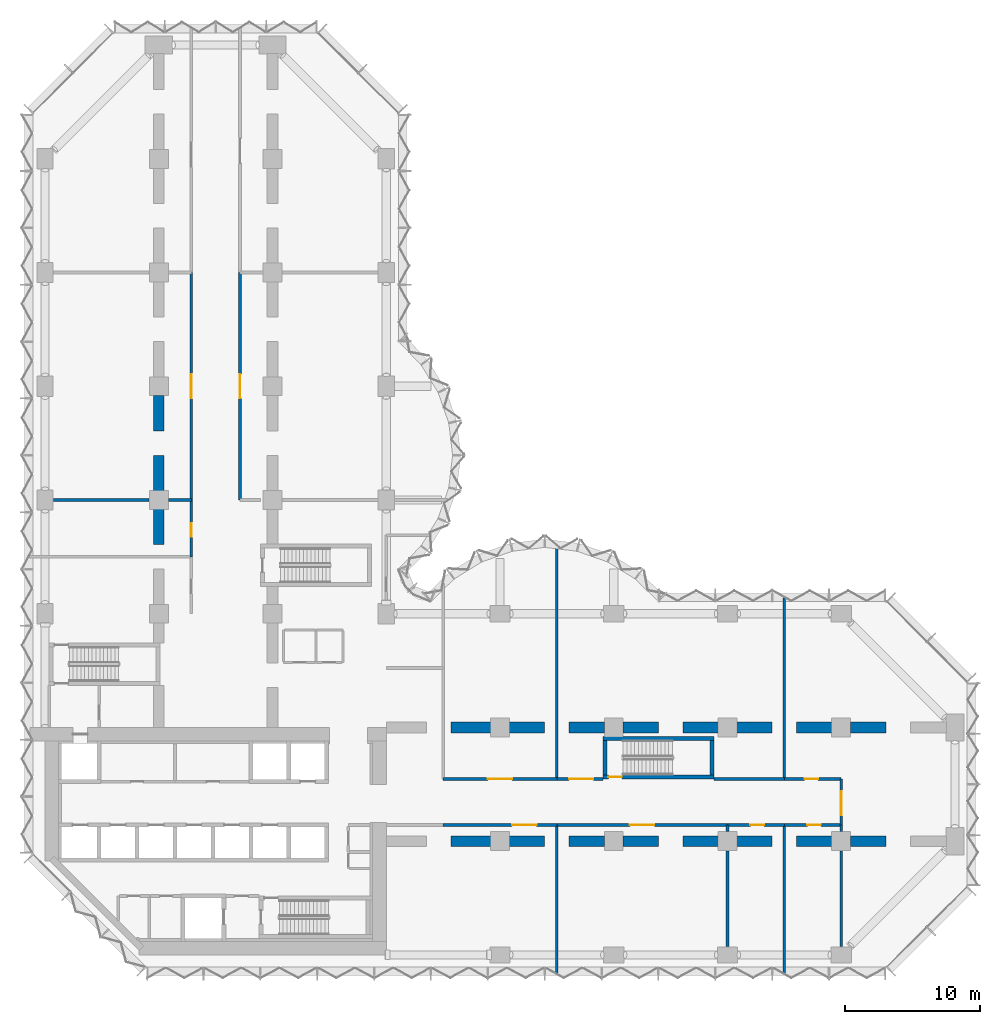
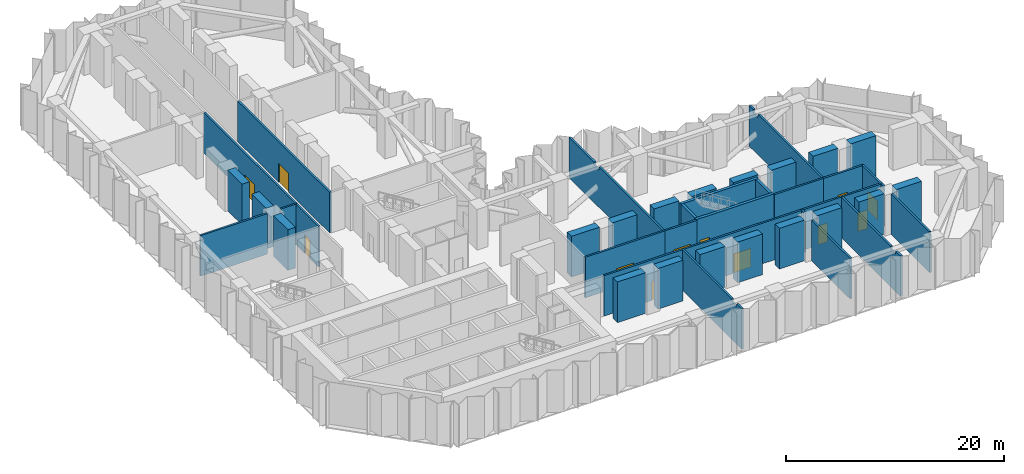
# One storey, part 12 of 18: 45 walls, 12 doors, 12 openings.
"""IFC4 building model written with IfcOpenShell, lengths in metres."""

from ifc_helpers import new_model, si_unit, direction, frame, frame_2d, origin, place, context, subcontext, project, spatial, polyline, rectangle, outline, extrude, material, layer, layer_set, type_object, element, fill, save


model = new_model("IFC4")

# Units and contexts
model_context = context("Model", 3, precision=1e-05, world=origin(), true_north=direction((0.0, 1.0)))
body_context = subcontext(model_context, "Body", "Model", "MODEL_VIEW")
ifc_project = project(units=[si_unit("LENGTHUNIT", "METRE"), si_unit("AREAUNIT", "SQUARE_METRE"), si_unit("VOLUMEUNIT", "CUBIC_METRE"), si_unit("PLANEANGLEUNIT", "RADIAN"), si_unit("MASSUNIT", "GRAM", prefix="KILO")], contexts=[model_context])

# Site, building, storey
site_placement = place(None, origin())
site = spatial("IfcSite", under=ifc_project, at=site_placement, CompositionType="ELEMENT")
building_placement = place(site_placement, origin())
building = spatial("IfcBuilding", under=site, at=building_placement, Name="Brevane Broadcast Tower", CompositionType="ELEMENT")
storey_placement = place(building_placement, frame((0.0, 0.0, 86.89990234375)))
storey = spatial("IfcBuildingStorey", under=building, at=storey_placement, Name="L20", CompositionType="ELEMENT", Elevation=86.89990234375)

# Wall, opening, door
ifc_material_1 = material(Name="Concrete C80/95", Category="concrete")
ifc_layer_1 = layer(ifc_material_1, 0.300048828125)
ifc_layer_set_1 = layer_set([ifc_layer_1], Name="Core wall 300 mm C80/95")
wall_type_1 = type_object("IfcWallType", Name="Core wall 300 mm C80/95", PredefinedType="SHEAR", material=ifc_layer_set_1)
wall_1_placement = place(storey_placement, frame((49.39990234375, 13.14990234375, 0.0), z_axis=(0.0, 0.0, 1.0), x_axis=(-1.0, 0.0, 0.0)))
wall_1 = element("IfcWall", 1, at=wall_1_placement, inside=storey, type_object=wall_type_1, Name="L20 stair wall ST-4-S", PredefinedType="SHEAR", context=body_context, shape_type="SweptSolid", body=[
    extrude(rectangle(XDim=8.199951171875, YDim=0.300048828125, at=frame_2d((4.10009765625, 0.0))), origin(), (0.0, 0.0, 1.0), 4.550048828125),
])
opening_1_placement = place(wall_1_placement, frame((6.800048828125, 0.0, 0.0)))
opening_1 = element("IfcOpeningElement", 2, at=opening_1_placement, cuts=wall_1, Name="Opening L20-K15", PredefinedType="OPENING", context=body_context, shape_type="SweptSolid", body=[
    extrude(rectangle(XDim=1.0, YDim=2.10009765625, at=frame_2d((0.5, 1.050048828125))), frame((0.0, 0.159912109375, 0.0), z_axis=(0.0, -1.0, 0.0), x_axis=(1.0, 0.0, 0.0)), (0.0, 0.0, 1.0), 0.320068359375),
])
ifc_material_2 = material(Name="Steel", Category="steel")
door_type_1 = type_object("IfcDoorType", Name="Stair door 1000 x 2100", OperationType="SINGLE_SWING_LEFT", PredefinedType="DOOR", material=ifc_material_2)
door_1_placement = place(opening_1_placement, origin())
door_1 = element("IfcDoor", 3, at=door_1_placement, inside=storey, type_object=door_type_1, Name="Door L20-K15", OperationType="SINGLE_SWING_LEFT", OverallHeight=2.10009765625, OverallWidth=1.0, PredefinedType="DOOR", context=body_context, shape_type="SweptSolid", body=[
    extrude(rectangle(XDim=1.0, YDim=2.10009765625, at=frame_2d((0.5, 1.050048828125))), frame((0.0, 0.02490234375, 0.0), z_axis=(0.0, -1.0, 0.0), x_axis=(1.0, 0.0, 0.0)), (0.0, 0.0, 1.0), 0.050048828125),
])
fill(opening_1, door_1)

# Walls
wall_2_placement = place(storey_placement, frame((41.199951171875, 16.0, 0.0), z_axis=(0.0, 0.0, 1.0), x_axis=(1.0, 0.0, 0.0)))
element("IfcWall", 4, at=wall_2_placement, inside=storey, type_object=wall_type_1, Name="L20 stair wall ST-4-N", PredefinedType="SHEAR", context=body_context, shape_type="SweptSolid", body=[
    extrude(rectangle(XDim=8.199951171875, YDim=0.300048828125, at=frame_2d((4.10009765625, 0.0))), origin(), (0.0, 0.0, 1.0), 4.550048828125),
])
for number, where, z_axis, x_axis, name in (
    (5, (41.35009765625, 13.300048828125, 0.0), (0.0, 0.0, 1.0), (0.0, 1.0, 0.0), "L20 stair wall ST-4-W"),
    (6, (49.25, 13.300048828125, 0.0), (0.0, 0.0, 1.0), (0.0, 1.0, 0.0), "L20 stair wall ST-4-E"),
):
    element("IfcWall", number, at=place(storey_placement, frame(where, z_axis=z_axis, x_axis=x_axis)), inside=storey, type_object=wall_type_1, Name=name, PredefinedType="SHEAR", context=body_context, shape_type="SweptSolid", body=[
        extrude(rectangle(XDim=2.550048828125, YDim=0.300048828125, at=frame_2d((1.27490234375, 0.0))), origin(), (0.0, 0.0, 1.0), 4.550048828125),
    ])

# Wall, opening, door
ifc_material_3 = material(Name="Gypsum board partition")
ifc_layer_2 = layer(ifc_material_3, 0.199951171875)
ifc_layer_set_2 = layer_set([ifc_layer_2], Name="PARTITION 200 EI 120")
wall_type_2 = type_object("IfcWallType", Name="PARTITION 200 EI 120", PredefinedType="PARTITIONING", material=ifc_layer_set_2)
wall_3_placement = place(storey_placement, frame((58.800048828125, 13.0, 0.0), z_axis=(0.0, 0.0, 1.0), x_axis=(0.0, -1.0, 0.0)))
wall_3 = element("IfcWall", 7, at=wall_3_placement, inside=storey, type_object=wall_type_2, Name="Partition R1-007", PredefinedType="PARTITIONING", context=body_context, shape_type="SweptSolid", body=[
    extrude(rectangle(XDim=3.39990234375, YDim=0.199951171875, at=frame_2d((1.699951171875, 0.0))), origin(), (0.0, 0.0, 1.0), 4.530029296875),
])
opening_2_placement = place(wall_3_placement, frame((0.89990234375, 0.0, 0.0)))
opening_2 = element("IfcOpeningElement", 8, at=opening_2_placement, cuts=wall_3, Name="Opening D12-002", PredefinedType="OPENING", context=body_context, shape_type="SweptSolid", body=[
    extrude(rectangle(XDim=1.800048828125, YDim=2.10009765625, at=frame_2d((0.89990234375, 1.050048828125))), frame((0.0, 0.10986328125, 0.0), z_axis=(0.0, -1.0, 0.0), x_axis=(1.0, 0.0, 0.0)), (0.0, 0.0, 1.0), 0.219970703125),
])
ifc_material_4 = material(Name="Fire-rated timber door leaf", Category="wood")
door_type_2 = type_object("IfcDoorType", Name="DOOR DOUBLE 1800 FD60", OperationType="DOUBLE_DOOR_SINGLE_SWING", PredefinedType="DOOR", material=ifc_material_4)
door_2_placement = place(opening_2_placement, origin())
door_2 = element("IfcDoor", 9, at=door_2_placement, inside=storey, type_object=door_type_2, Name="Door D12-002", OperationType="DOUBLE_DOOR_SINGLE_SWING", OverallHeight=2.10009765625, OverallWidth=1.800048828125, PredefinedType="DOOR", context=body_context, shape_type="SweptSolid", body=[
    extrude(rectangle(XDim=1.800048828125, YDim=2.10009765625, at=frame_2d((0.89990234375, 1.050048828125))), frame((0.0, 0.02490234375, 0.0), z_axis=(0.0, -1.0, 0.0), x_axis=(1.0, 0.0, 0.0)), (0.0, 0.0, 1.0), 0.050048828125),
])
fill(opening_2, door_2)

wall_4_placement = place(storey_placement, frame((37.800048828125, 9.60009765625, 0.0), z_axis=(0.0, 0.0, 1.0), x_axis=(-1.0, 0.0, 0.0)))
wall_4 = element("IfcWall", 10, at=wall_4_placement, inside=storey, type_object=wall_type_2, Name="Partition R1-008", PredefinedType="PARTITIONING", context=body_context, shape_type="SweptSolid", body=[
    extrude(rectangle(XDim=8.400146484375, YDim=0.199951171875, at=frame_2d((4.2001953125, 0.0))), origin(), (0.0, 0.0, 1.0), 4.530029296875),
])
opening_3_placement = place(wall_4_placement, frame((1.5, 0.0, 0.0)))
opening_3 = element("IfcOpeningElement", 11, at=opening_3_placement, cuts=wall_4, Name="Opening D12-003", PredefinedType="OPENING", context=body_context, shape_type="SweptSolid", body=[
    extrude(rectangle(XDim=1.800048828125, YDim=2.10009765625, at=frame_2d((0.89990234375, 1.050048828125))), frame((0.0, 0.10986328125, 0.0), z_axis=(0.0, -1.0, 0.0), x_axis=(1.0, 0.0, 0.0)), (0.0, 0.0, 1.0), 0.219970703125),
])
door_3_placement = place(opening_3_placement, origin())
door_3 = element("IfcDoor", 12, at=door_3_placement, inside=storey, type_object=door_type_2, Name="Door D12-003", OperationType="DOUBLE_DOOR_SINGLE_SWING", OverallHeight=2.10009765625, OverallWidth=1.800048828125, PredefinedType="DOOR", context=body_context, shape_type="SweptSolid", body=[
    extrude(rectangle(XDim=1.800048828125, YDim=2.10009765625, at=frame_2d((0.89990234375, 1.050048828125))), frame((0.0, 0.02490234375, 0.0), z_axis=(0.0, -1.0, 0.0), x_axis=(1.0, 0.0, 0.0)), (0.0, 0.0, 1.0), 0.050048828125),
])
fill(opening_3, door_3)

wall_5_placement = place(storey_placement, frame((50.39990234375, 9.60009765625, 0.0), z_axis=(0.0, 0.0, 1.0), x_axis=(-1.0, 0.0, 0.0)))
wall_5 = element("IfcWall", 13, at=wall_5_placement, inside=storey, type_object=wall_type_2, Name="Partition R1-009", PredefinedType="PARTITIONING", context=body_context, shape_type="SweptSolid", body=[
    extrude(rectangle(XDim=12.599853515625, YDim=0.199951171875, at=frame_2d((6.2998046875, 0.0))), origin(), (0.0, 0.0, 1.0), 4.530029296875),
])
opening_4_placement = place(wall_5_placement, frame((5.39990234375, 0.0, 0.0)))
opening_4 = element("IfcOpeningElement", 14, at=opening_4_placement, cuts=wall_5, Name="Opening D12-004", PredefinedType="OPENING", context=body_context, shape_type="SweptSolid", body=[
    extrude(rectangle(XDim=1.800048828125, YDim=2.10009765625, at=frame_2d((0.89990234375, 1.050048828125))), frame((0.0, 0.10986328125, 0.0), z_axis=(0.0, -1.0, 0.0), x_axis=(1.0, 0.0, 0.0)), (0.0, 0.0, 1.0), 0.219970703125),
])
door_4_placement = place(opening_4_placement, origin())
door_4 = element("IfcDoor", 15, at=door_4_placement, inside=storey, type_object=door_type_2, Name="Door D12-004", OperationType="DOUBLE_DOOR_SINGLE_SWING", OverallHeight=2.10009765625, OverallWidth=1.800048828125, PredefinedType="DOOR", context=body_context, shape_type="SweptSolid", body=[
    extrude(rectangle(XDim=1.800048828125, YDim=2.10009765625, at=frame_2d((0.89990234375, 1.050048828125))), frame((0.0, 0.02490234375, 0.0), z_axis=(0.0, -1.0, 0.0), x_axis=(1.0, 0.0, 0.0)), (0.0, 0.0, 1.0), 0.050048828125),
])
fill(opening_4, door_4)

wall_6_placement = place(storey_placement, frame((54.60009765625, 9.60009765625, 0.0), z_axis=(0.0, 0.0, 1.0), x_axis=(-1.0, 0.0, 0.0)))
wall_6 = element("IfcWall", 16, at=wall_6_placement, inside=storey, type_object=wall_type_2, Name="Partition R1-010", PredefinedType="PARTITIONING", context=body_context, shape_type="SweptSolid", body=[
    extrude(rectangle(XDim=4.2001953125, YDim=0.199951171875, at=frame_2d((2.10009765625, 0.0))), origin(), (0.0, 0.0, 1.0), 4.530029296875),
])
opening_5_placement = place(wall_6_placement, frame((1.5, 0.0, 0.0)))
opening_5 = element("IfcOpeningElement", 17, at=opening_5_placement, cuts=wall_6, Name="Opening D12-005", PredefinedType="OPENING", context=body_context, shape_type="SweptSolid", body=[
    extrude(rectangle(XDim=1.0, YDim=2.10009765625, at=frame_2d((0.5, 1.050048828125))), frame((0.0, 0.10986328125, 0.0), z_axis=(0.0, -1.0, 0.0), x_axis=(1.0, 0.0, 0.0)), (0.0, 0.0, 1.0), 0.219970703125),
])
door_type_3 = type_object("IfcDoorType", Name="DOOR SINGLE 1000 FD60", OperationType="SINGLE_SWING_LEFT", PredefinedType="DOOR", material=ifc_material_4)
door_5_placement = place(opening_5_placement, origin())
door_5 = element("IfcDoor", 18, at=door_5_placement, inside=storey, type_object=door_type_3, Name="Door D12-005", OperationType="SINGLE_SWING_LEFT", OverallHeight=2.10009765625, OverallWidth=1.0, PredefinedType="DOOR", context=body_context, shape_type="SweptSolid", body=[
    extrude(rectangle(XDim=1.0, YDim=2.10009765625, at=frame_2d((0.5, 1.050048828125))), frame((0.0, 0.02490234375, 0.0), z_axis=(0.0, -1.0, 0.0), x_axis=(1.0, 0.0, 0.0)), (0.0, 0.0, 1.0), 0.050048828125),
])
fill(opening_5, door_5)

wall_7_placement = place(storey_placement, frame((58.800048828125, 9.60009765625, 0.0), z_axis=(0.0, 0.0, 1.0), x_axis=(-1.0, 0.0, 0.0)))
wall_7 = element("IfcWall", 19, at=wall_7_placement, inside=storey, type_object=wall_type_2, Name="Partition R1-011", PredefinedType="PARTITIONING", context=body_context, shape_type="SweptSolid", body=[
    extrude(rectangle(XDim=4.199951171875, YDim=0.199951171875, at=frame_2d((2.10009765625, 0.0))), origin(), (0.0, 0.0, 1.0), 4.530029296875),
])
opening_6_placement = place(wall_7_placement, frame((1.5, 0.0, 0.0)))
opening_6 = element("IfcOpeningElement", 20, at=opening_6_placement, cuts=wall_7, Name="Opening D12-006", PredefinedType="OPENING", context=body_context, shape_type="SweptSolid", body=[
    extrude(rectangle(XDim=1.0, YDim=2.10009765625, at=frame_2d((0.5, 1.050048828125))), frame((0.0, 0.10986328125, 0.0), z_axis=(0.0, -1.0, 0.0), x_axis=(1.0, 0.0, 0.0)), (0.0, 0.0, 1.0), 0.219970703125),
])
door_6_placement = place(opening_6_placement, origin())
door_6 = element("IfcDoor", 21, at=door_6_placement, inside=storey, type_object=door_type_3, Name="Door D12-006", OperationType="SINGLE_SWING_LEFT", OverallHeight=2.10009765625, OverallWidth=1.0, PredefinedType="DOOR", context=body_context, shape_type="SweptSolid", body=[
    extrude(rectangle(XDim=1.0, YDim=2.10009765625, at=frame_2d((0.5, 1.050048828125))), frame((0.0, 0.02490234375, 0.0), z_axis=(0.0, -1.0, 0.0), x_axis=(1.0, 0.0, 0.0)), (0.0, 0.0, 1.0), 0.050048828125),
])
fill(opening_6, door_6)

wall_8_placement = place(storey_placement, frame((29.39990234375, 13.0, 0.0), z_axis=(0.0, 0.0, 1.0), x_axis=(1.0, 0.0, 0.0)))
wall_8 = element("IfcWall", 22, at=wall_8_placement, inside=storey, type_object=wall_type_2, Name="Partition R1-012", PredefinedType="PARTITIONING", context=body_context, shape_type="SweptSolid", body=[
    extrude(rectangle(XDim=8.400146484375, YDim=0.199951171875, at=frame_2d((4.2001953125, 0.0))), origin(), (0.0, 0.0, 1.0), 4.530029296875),
])
opening_7_placement = place(wall_8_placement, frame((3.300048828125, 0.0, 0.0)))
opening_7 = element("IfcOpeningElement", 23, at=opening_7_placement, cuts=wall_8, Name="Opening D12-007", PredefinedType="OPENING", context=body_context, shape_type="SweptSolid", body=[
    extrude(rectangle(XDim=1.800048828125, YDim=2.10009765625, at=frame_2d((0.89990234375, 1.050048828125))), frame((0.0, 0.10986328125, 0.0), z_axis=(0.0, -1.0, 0.0), x_axis=(1.0, 0.0, 0.0)), (0.0, 0.0, 1.0), 0.219970703125),
])
door_7_placement = place(opening_7_placement, origin())
door_7 = element("IfcDoor", 24, at=door_7_placement, inside=storey, type_object=door_type_2, Name="Door D12-007", OperationType="DOUBLE_DOOR_SINGLE_SWING", OverallHeight=2.10009765625, OverallWidth=1.800048828125, PredefinedType="DOOR", context=body_context, shape_type="SweptSolid", body=[
    extrude(rectangle(XDim=1.800048828125, YDim=2.10009765625, at=frame_2d((0.89990234375, 1.050048828125))), frame((0.0, 0.02490234375, 0.0), z_axis=(0.0, -1.0, 0.0), x_axis=(1.0, 0.0, 0.0)), (0.0, 0.0, 1.0), 0.050048828125),
])
fill(opening_7, door_7)

wall_9_placement = place(storey_placement, frame((37.800048828125, 13.0, 0.0), z_axis=(0.0, 0.0, 1.0), x_axis=(1.0, 0.0, 0.0)))
wall_9 = element("IfcWall", 25, at=wall_9_placement, inside=storey, type_object=wall_type_2, Name="Partition R1-013", PredefinedType="PARTITIONING", context=body_context, shape_type="SweptSolid", body=[
    extrude(rectangle(XDim=3.39990234375, YDim=0.199951171875, at=frame_2d((1.699951171875, 0.0))), origin(), (0.0, 0.0, 1.0), 4.530029296875),
])
opening_8_placement = place(wall_9_placement, frame((0.89990234375, 0.0, 0.0)))
opening_8 = element("IfcOpeningElement", 26, at=opening_8_placement, cuts=wall_9, Name="Opening D12-008", PredefinedType="OPENING", context=body_context, shape_type="SweptSolid", body=[
    extrude(rectangle(XDim=1.800048828125, YDim=2.10009765625, at=frame_2d((0.89990234375, 1.050048828125))), frame((0.0, 0.10986328125, 0.0), z_axis=(0.0, -1.0, 0.0), x_axis=(1.0, 0.0, 0.0)), (0.0, 0.0, 1.0), 0.219970703125),
])
door_8_placement = place(opening_8_placement, origin())
door_8 = element("IfcDoor", 27, at=door_8_placement, inside=storey, type_object=door_type_2, Name="Door D12-008", OperationType="DOUBLE_DOOR_SINGLE_SWING", OverallHeight=2.10009765625, OverallWidth=1.800048828125, PredefinedType="DOOR", context=body_context, shape_type="SweptSolid", body=[
    extrude(rectangle(XDim=1.800048828125, YDim=2.10009765625, at=frame_2d((0.89990234375, 1.050048828125))), frame((0.0, 0.02490234375, 0.0), z_axis=(0.0, -1.0, 0.0), x_axis=(1.0, 0.0, 0.0)), (0.0, 0.0, 1.0), 0.050048828125),
])
fill(opening_8, door_8)

# Wall
wall_10_placement = place(storey_placement, frame((49.39990234375, 13.0, 0.0), z_axis=(0.0, 0.0, 1.0), x_axis=(1.0, 0.0, 0.0)))
element("IfcWall", 28, at=wall_10_placement, inside=storey, type_object=wall_type_2, Name="Partition R1-014", PredefinedType="PARTITIONING", context=body_context, shape_type="SweptSolid", body=[
    extrude(rectangle(XDim=5.2001953125, YDim=0.199951171875, at=frame_2d((2.60009765625, 0.0))), origin(), (0.0, 0.0, 1.0), 4.530029296875),
])

# Wall, opening, door
wall_11_placement = place(storey_placement, frame((54.60009765625, 13.0, 0.0), z_axis=(0.0, 0.0, 1.0), x_axis=(1.0, 0.0, 0.0)))
wall_11 = element("IfcWall", 29, at=wall_11_placement, inside=storey, type_object=wall_type_2, Name="Partition R1-015", PredefinedType="PARTITIONING", context=body_context, shape_type="SweptSolid", body=[
    extrude(rectangle(XDim=4.199951171875, YDim=0.199951171875, at=frame_2d((2.10009765625, 0.0))), origin(), (0.0, 0.0, 1.0), 4.530029296875),
])
opening_9_placement = place(wall_11_placement, frame((1.5, 0.0, 0.0)))
opening_9 = element("IfcOpeningElement", 30, at=opening_9_placement, cuts=wall_11, Name="Opening D12-009", PredefinedType="OPENING", context=body_context, shape_type="SweptSolid", body=[
    extrude(rectangle(XDim=1.0, YDim=2.10009765625, at=frame_2d((0.5, 1.050048828125))), frame((0.0, 0.10986328125, 0.0), z_axis=(0.0, -1.0, 0.0), x_axis=(1.0, 0.0, 0.0)), (0.0, 0.0, 1.0), 0.219970703125),
])
door_9_placement = place(opening_9_placement, origin())
door_9 = element("IfcDoor", 31, at=door_9_placement, inside=storey, type_object=door_type_3, Name="Door D12-009", OperationType="SINGLE_SWING_LEFT", OverallHeight=2.10009765625, OverallWidth=1.0, PredefinedType="DOOR", context=body_context, shape_type="SweptSolid", body=[
    extrude(rectangle(XDim=1.0, YDim=2.10009765625, at=frame_2d((0.5, 1.050048828125))), frame((0.0, 0.02490234375, 0.0), z_axis=(0.0, -1.0, 0.0), x_axis=(1.0, 0.0, 0.0)), (0.0, 0.0, 1.0), 0.050048828125),
])
fill(opening_9, door_9)

# Walls
wall_12_placement = place(storey_placement, frame((58.800048828125, 0.6201171875, 0.0), z_axis=(0.0, 0.0, 1.0), x_axis=(0.0, 1.0, 0.0)))
element("IfcWall", 32, at=wall_12_placement, inside=storey, type_object=wall_type_2, Name="Partition R1-016", PredefinedType="PARTITIONING", context=body_context, shape_type="SweptSolid", body=[
    extrude(outline(polyline([(0.0, 0.0), (7.059814453125, 0.0), (7.06005859375, 4.530029296875), (0.095703125, 4.530029296875), (0.09375, 4.18017578125), (0.0, 4.18017578125), (0.0, 0.0)])), frame((0.0, 0.10009765625, 0.0), z_axis=(0.0, -1.0, 0.0), x_axis=(1.0, 0.0, 0.0)), (0.0, 0.0, 1.0), 0.199951171875),
])
wall_13_placement = place(storey_placement, frame((58.800048828125, 9.1201171875, 0.0), z_axis=(0.0, 0.0, 1.0), x_axis=(0.0, 1.0, 0.0)))
element("IfcWall", 33, at=wall_13_placement, inside=storey, type_object=wall_type_2, Name="Partition R1-017", PredefinedType="PARTITIONING", context=body_context, shape_type="SweptSolid", body=[
    extrude(rectangle(XDim=0.47998046875, YDim=0.199951171875, at=frame_2d((0.239990234375, 0.0))), origin(), (0.0, 0.0, 1.0), 4.530029296875),
])
wall_14_placement = place(storey_placement, frame((37.800048828125, 9.60009765625, 0.0), z_axis=(0.0, 0.0, 1.0), x_axis=(0.0, -1.0, 0.0)))
element("IfcWall", 34, at=wall_14_placement, inside=storey, type_object=wall_type_2, Name="Partition R1-018", PredefinedType="PARTITIONING", context=body_context, shape_type="SweptSolid", body=[
    extrude(outline(polyline([(0.0, 0.0), (10.96337890625, 0.0), (10.96337890625, 4.530029296875), (10.699951171875, 4.530029296875), (10.050048828125, 4.530029296875), (10.048095703125, 4.18017578125), (9.152099609375, 4.18017578125), (9.14990234375, 4.530029296875), (0.0, 4.530029296875), (0.0, 0.0)])), frame((0.0, 0.10009765625, 0.0), z_axis=(0.0, -1.0, 0.0), x_axis=(1.0, 0.0, 0.0)), (0.0, 0.0, 1.0), 0.199951171875),
])
wall_15_placement = place(storey_placement, frame((50.39990234375, 9.60009765625, 0.0), z_axis=(0.0, 0.0, 1.0), x_axis=(0.0, -1.0, 0.0)))
element("IfcWall", 35, at=wall_15_placement, inside=storey, type_object=wall_type_2, Name="Partition R1-019", PredefinedType="PARTITIONING", context=body_context, shape_type="SweptSolid", body=[
    extrude(rectangle(XDim=0.47998046875, YDim=0.199951171875, at=frame_2d((0.239990234375, 0.0))), origin(), (0.0, 0.0, 1.0), 4.530029296875),
])
wall_16_placement = place(storey_placement, frame((50.39990234375, 7.679931640625, 0.0), z_axis=(0.0, 0.0, 1.0), x_axis=(0.0, -1.0, 0.0)))
element("IfcWall", 36, at=wall_16_placement, inside=storey, type_object=wall_type_2, Name="Partition R1-020", PredefinedType="PARTITIONING", context=body_context, shape_type="SweptSolid", body=[
    extrude(rectangle(XDim=7.059814453125, YDim=0.199951171875, at=frame_2d((3.52978515625, 0.0))), origin(), (0.0, 0.0, 1.0), 4.530029296875),
])
wall_17_placement = place(storey_placement, frame((54.60009765625, 9.60009765625, 0.0), z_axis=(0.0, 0.0, 1.0), x_axis=(0.0, -1.0, 0.0)))
element("IfcWall", 37, at=wall_17_placement, inside=storey, type_object=wall_type_2, Name="Partition R1-021", PredefinedType="PARTITIONING", context=body_context, shape_type="SweptSolid", body=[
    extrude(outline(polyline([(0.0, 0.0), (10.96337890625, 0.0), (10.96337890625, 4.530029296875), (10.699951171875, 4.530029296875), (10.050048828125, 4.530029296875), (10.048095703125, 4.18017578125), (9.152099609375, 4.18017578125), (9.14990234375, 4.530029296875), (0.0, 4.530029296875), (0.0, 0.0)])), frame((0.0, 0.10009765625, 0.0), z_axis=(0.0, -1.0, 0.0), x_axis=(1.0, 0.0, 0.0)), (0.0, 0.0, 1.0), 0.199951171875),
])
wall_18_placement = place(storey_placement, frame((37.800048828125, 30.24267578125, 0.0), z_axis=(0.0, 0.0, 1.0), x_axis=(0.0, -1.0, 0.0)))
element("IfcWall", 38, at=wall_18_placement, inside=storey, type_object=wall_type_2, Name="Partition R1-022", PredefinedType="PARTITIONING", context=body_context, shape_type="SweptSolid", body=[
    extrude(outline(polyline([(0.0, 0.0), (17.24267578125, 0.0), (17.24267578125, 4.530029296875), (5.49267578125, 4.530029296875), (5.49072265625, 4.18017578125), (4.5947265625, 4.18017578125), (4.5927734375, 4.530029296875), (0.0, 4.530029296875), (0.0, 0.0)])), frame((0.0, 0.10009765625, 0.0), z_axis=(0.0, -1.0, 0.0), x_axis=(1.0, 0.0, 0.0)), (0.0, 0.0, 1.0), 0.199951171875),
])
wall_19_placement = place(storey_placement, frame((54.60009765625, 26.37548828125, 0.0), z_axis=(0.0, 0.0, 1.0), x_axis=(0.0, -1.0, 0.0)))
element("IfcWall", 39, at=wall_19_placement, inside=storey, type_object=wall_type_2, Name="Partition R1-023", PredefinedType="PARTITIONING", context=body_context, shape_type="SweptSolid", body=[
    extrude(outline(polyline([(0.0, 0.0), (13.37548828125, 0.0), (13.37548828125, 4.530029296875), (1.62548828125, 4.530029296875), (1.62353515625, 4.18017578125), (0.7275390625, 4.18017578125), (0.7255859375, 4.530029296875), (0.075439453125, 4.530029296875), (0.0, 4.530029296875), (0.0, 0.0)])), frame((0.0, 0.10009765625, 0.0), z_axis=(0.0, -1.0, 0.0), x_axis=(1.0, 0.0, 0.0)), (0.0, 0.0, 1.0), 0.199951171875),
])

# Wall, opening, door
wall_20_placement = place(storey_placement, frame((10.800048828125, 29.39990234375, 0.0), z_axis=(0.0, 0.0, 1.0), x_axis=(0.0, 1.0, 0.0)))
wall_20 = element("IfcWall", 40, at=wall_20_placement, inside=storey, type_object=wall_type_2, Name="Partition R1-025", PredefinedType="PARTITIONING", context=body_context, shape_type="SweptSolid", body=[
    extrude(rectangle(XDim=4.2001953125, YDim=0.199951171875, at=frame_2d((2.10009765625, 0.0))), origin(), (0.0, 0.0, 1.0), 4.530029296875),
])
opening_10_placement = place(wall_20_placement, frame((1.5, 0.0, 0.0)))
opening_10 = element("IfcOpeningElement", 41, at=opening_10_placement, cuts=wall_20, Name="Opening D12-011", PredefinedType="OPENING", context=body_context, shape_type="SweptSolid", body=[
    extrude(rectangle(XDim=1.0, YDim=2.10009765625, at=frame_2d((0.5, 1.050048828125))), frame((0.0, 0.10986328125, 0.0), z_axis=(0.0, -1.0, 0.0), x_axis=(1.0, 0.0, 0.0)), (0.0, 0.0, 1.0), 0.219970703125),
])
door_10_placement = place(opening_10_placement, origin())
door_10 = element("IfcDoor", 42, at=door_10_placement, inside=storey, type_object=door_type_3, Name="Door D12-011", OperationType="SINGLE_SWING_LEFT", OverallHeight=2.10009765625, OverallWidth=1.0, PredefinedType="DOOR", context=body_context, shape_type="SweptSolid", body=[
    extrude(rectangle(XDim=1.0, YDim=2.10009765625, at=frame_2d((0.5, 1.050048828125))), frame((0.0, 0.02490234375, 0.0), z_axis=(0.0, -1.0, 0.0), x_axis=(1.0, 0.0, 0.0)), (0.0, 0.0, 1.0), 0.050048828125),
])
fill(opening_10, door_10)

wall_21_placement = place(storey_placement, frame((10.800048828125, 33.60009765625, 0.0), z_axis=(0.0, 0.0, 1.0), x_axis=(0.0, 1.0, 0.0)))
wall_21 = element("IfcWall", 43, at=wall_21_placement, inside=storey, type_object=wall_type_2, Name="Partition R1-029", PredefinedType="PARTITIONING", context=body_context, shape_type="SweptSolid", body=[
    extrude(rectangle(XDim=16.7998046875, YDim=0.199951171875, at=frame_2d((8.39990234375, 0.0))), origin(), (0.0, 0.0, 1.0), 4.530029296875),
])
opening_11_placement = place(wall_21_placement, frame((7.5, 0.0, 0.0)))
opening_11 = element("IfcOpeningElement", 44, at=opening_11_placement, cuts=wall_21, Name="Opening D12-012", PredefinedType="OPENING", context=body_context, shape_type="SweptSolid", body=[
    extrude(rectangle(XDim=1.800048828125, YDim=2.10009765625, at=frame_2d((0.89990234375, 1.050048828125))), frame((0.0, 0.10986328125, 0.0), z_axis=(0.0, -1.0, 0.0), x_axis=(1.0, 0.0, 0.0)), (0.0, 0.0, 1.0), 0.219970703125),
])
door_11_placement = place(opening_11_placement, origin())
door_11 = element("IfcDoor", 45, at=door_11_placement, inside=storey, type_object=door_type_2, Name="Door D12-012", OperationType="DOUBLE_DOOR_SINGLE_SWING", OverallHeight=2.10009765625, OverallWidth=1.800048828125, PredefinedType="DOOR", context=body_context, shape_type="SweptSolid", body=[
    extrude(rectangle(XDim=1.800048828125, YDim=2.10009765625, at=frame_2d((0.89990234375, 1.050048828125))), frame((0.0, 0.02490234375, 0.0), z_axis=(0.0, -1.0, 0.0), x_axis=(1.0, 0.0, 0.0)), (0.0, 0.0, 1.0), 0.050048828125),
])
fill(opening_11, door_11)

wall_22_placement = place(storey_placement, frame((14.39990234375, 50.39990234375, 0.0), z_axis=(0.0, 0.0, 1.0), x_axis=(0.0, -1.0, 0.0)))
wall_22 = element("IfcWall", 46, at=wall_22_placement, inside=storey, type_object=wall_type_2, Name="Partition R1-031", PredefinedType="PARTITIONING", context=body_context, shape_type="SweptSolid", body=[
    extrude(rectangle(XDim=16.7998046875, YDim=0.199951171875, at=frame_2d((8.39990234375, 0.0))), origin(), (0.0, 0.0, 1.0), 4.530029296875),
])
opening_12_placement = place(wall_22_placement, frame((7.5, 0.0, 0.0)))
opening_12 = element("IfcOpeningElement", 47, at=opening_12_placement, cuts=wall_22, Name="Opening D12-014", PredefinedType="OPENING", context=body_context, shape_type="SweptSolid", body=[
    extrude(rectangle(XDim=1.800048828125, YDim=2.10009765625, at=frame_2d((0.89990234375, 1.050048828125))), frame((0.0, 0.10986328125, 0.0), z_axis=(0.0, -1.0, 0.0), x_axis=(1.0, 0.0, 0.0)), (0.0, 0.0, 1.0), 0.219970703125),
])
door_12_placement = place(opening_12_placement, origin())
door_12 = element("IfcDoor", 48, at=door_12_placement, inside=storey, type_object=door_type_2, Name="Door D12-014", OperationType="DOUBLE_DOOR_SINGLE_SWING", OverallHeight=2.10009765625, OverallWidth=1.800048828125, PredefinedType="DOOR", context=body_context, shape_type="SweptSolid", body=[
    extrude(rectangle(XDim=1.800048828125, YDim=2.10009765625, at=frame_2d((0.89990234375, 1.050048828125))), frame((0.0, 0.02490234375, 0.0), z_axis=(0.0, -1.0, 0.0), x_axis=(1.0, 0.0, 0.0)), (0.0, 0.0, 1.0), 0.050048828125),
])
fill(opening_12, door_12)

# Walls
wall_23_placement = place(storey_placement, frame((0.6201171875, 33.60009765625, 0.0), z_axis=(0.0, 0.0, 1.0), x_axis=(1.0, 0.0, 0.0)))
element("IfcWall", 49, at=wall_23_placement, inside=storey, type_object=wall_type_2, Name="Partition R1-034", PredefinedType="PARTITIONING", context=body_context, shape_type="SweptSolid", body=[
    extrude(rectangle(XDim=7.059814453125, YDim=0.199951171875, at=frame_2d((3.52978515625, 0.0))), origin(), (0.0, 0.0, 1.0), 4.530029296875),
])
wall_24_placement = place(storey_placement, frame((9.1201171875, 33.60009765625, 0.0), z_axis=(0.0, 0.0, 1.0), x_axis=(1.0, 0.0, 0.0)))
element("IfcWall", 50, at=wall_24_placement, inside=storey, type_object=wall_type_2, Name="Partition R1-035", PredefinedType="PARTITIONING", context=body_context, shape_type="SweptSolid", body=[
    extrude(rectangle(XDim=1.679931640625, YDim=0.199951171875, at=frame_2d((0.83984375, 0.0))), origin(), (0.0, 0.0, 1.0), 4.530029296875),
])
ifc_material_5 = material(Name="Concrete C60/75", Category="concrete")
ifc_layer_3 = layer(ifc_material_5, 0.800048828125)
ifc_layer_set_3 = layer_set([ifc_layer_3], Name="RC OUTRIGGER WALL 800 C60/75")
wall_type_3 = type_object("IfcWallType", Name="RC OUTRIGGER WALL 800 C60/75", PredefinedType="SHEAR", material=ifc_layer_set_3)
wall_25_placement = place(storey_placement, frame((29.965087890625, 8.39990234375, 0.0), z_axis=(0.0, 0.0, 1.0), x_axis=(1.0, 0.0, 0.0)))
element("IfcWall", 51, at=wall_25_placement, inside=storey, type_object=wall_type_3, Name="OR1 L20-2", PredefinedType="SHEAR", context=body_context, shape_type="SweptSolid", body=[
    extrude(rectangle(XDim=2.96484375, YDim=0.800048828125, at=frame_2d((1.482421875, 0.0))), origin(), (0.0, 0.0, 1.0), 4.550048828125),
])
wall_26_placement = place(storey_placement, frame((34.27001953125, 8.39990234375, 0.0), z_axis=(0.0, 0.0, 1.0), x_axis=(1.0, 0.0, 0.0)))
element("IfcWall", 52, at=wall_26_placement, inside=storey, type_object=wall_type_3, Name="OR1 L20-3", PredefinedType="SHEAR", context=body_context, shape_type="SweptSolid", body=[
    extrude(rectangle(XDim=2.6298828125, YDim=0.800048828125, at=frame_2d((1.31494140625, 0.0))), origin(), (0.0, 0.0, 1.0), 4.550048828125),
])
for number, where, z_axis, x_axis, name in (
    (53, (38.699951171875, 8.39990234375, 0.0), (0.0, 0.0, 1.0), (1.0, 0.0, 0.0), "OR1 L20-4"),
    (54, (42.669921875, 8.39990234375, 0.0), (0.0, 0.0, 1.0), (1.0, 0.0, 0.0), "OR1 L20-5"),
):
    element("IfcWall", number, at=place(storey_placement, frame(where, z_axis=z_axis, x_axis=x_axis)), inside=storey, type_object=wall_type_3, Name=name, PredefinedType="SHEAR", context=body_context, shape_type="SweptSolid", body=[
        extrude(rectangle(XDim=2.630126953125, YDim=0.800048828125, at=frame_2d((1.31494140625, 0.0))), origin(), (0.0, 0.0, 1.0), 4.550048828125),
    ])
for number, where, z_axis, x_axis, name in (
    (55, (47.10009765625, 8.39990234375, 0.0), (0.0, 0.0, 1.0), (1.0, 0.0, 0.0), "OR1 L20-6"),
    (56, (51.070068359375, 8.39990234375, 0.0), (0.0, 0.0, 1.0), (1.0, 0.0, 0.0), "OR1 L20-7"),
    (57, (55.5, 8.39990234375, 0.0), (0.0, 0.0, 1.0), (1.0, 0.0, 0.0), "OR1 L20-8"),
):
    element("IfcWall", number, at=place(storey_placement, frame(where, z_axis=z_axis, x_axis=x_axis)), inside=storey, type_object=wall_type_3, Name=name, PredefinedType="SHEAR", context=body_context, shape_type="SweptSolid", body=[
        extrude(rectangle(XDim=2.6298828125, YDim=0.800048828125, at=frame_2d((1.31494140625, 0.0))), origin(), (0.0, 0.0, 1.0), 4.550048828125),
    ])
wall_27_placement = place(storey_placement, frame((59.469970703125, 8.39990234375, 0.0), z_axis=(0.0, 0.0, 1.0), x_axis=(1.0, 0.0, 0.0)))
element("IfcWall", 58, at=wall_27_placement, inside=storey, type_object=wall_type_3, Name="OR1 L20-9", PredefinedType="SHEAR", context=body_context, shape_type="SweptSolid", body=[
    extrude(rectangle(XDim=2.655029296875, YDim=0.800048828125, at=frame_2d((1.32763671875, 0.0))), origin(), (0.0, 0.0, 1.0), 4.550048828125),
])
wall_28_placement = place(storey_placement, frame((29.965087890625, 16.800048828125, 0.0), z_axis=(0.0, 0.0, 1.0), x_axis=(1.0, 0.0, 0.0)))
element("IfcWall", 59, at=wall_28_placement, inside=storey, type_object=wall_type_3, Name="OR1 L20-12", PredefinedType="SHEAR", context=body_context, shape_type="SweptSolid", body=[
    extrude(rectangle(XDim=2.96484375, YDim=0.800048828125, at=frame_2d((1.482421875, 0.0))), origin(), (0.0, 0.0, 1.0), 4.550048828125),
])
wall_29_placement = place(storey_placement, frame((34.27001953125, 16.800048828125, 0.0), z_axis=(0.0, 0.0, 1.0), x_axis=(1.0, 0.0, 0.0)))
element("IfcWall", 60, at=wall_29_placement, inside=storey, type_object=wall_type_3, Name="OR1 L20-13", PredefinedType="SHEAR", context=body_context, shape_type="SweptSolid", body=[
    extrude(rectangle(XDim=2.6298828125, YDim=0.800048828125, at=frame_2d((1.31494140625, 0.0))), origin(), (0.0, 0.0, 1.0), 4.550048828125),
])
for number, where, z_axis, x_axis, name in (
    (61, (38.699951171875, 16.800048828125, 0.0), (0.0, 0.0, 1.0), (1.0, 0.0, 0.0), "OR1 L20-14"),
    (62, (42.669921875, 16.800048828125, 0.0), (0.0, 0.0, 1.0), (1.0, 0.0, 0.0), "OR1 L20-15"),
):
    element("IfcWall", number, at=place(storey_placement, frame(where, z_axis=z_axis, x_axis=x_axis)), inside=storey, type_object=wall_type_3, Name=name, PredefinedType="SHEAR", context=body_context, shape_type="SweptSolid", body=[
        extrude(rectangle(XDim=2.630126953125, YDim=0.800048828125, at=frame_2d((1.31494140625, 0.0))), origin(), (0.0, 0.0, 1.0), 4.550048828125),
    ])
for number, where, z_axis, x_axis, name in (
    (63, (47.10009765625, 16.800048828125, 0.0), (0.0, 0.0, 1.0), (1.0, 0.0, 0.0), "OR1 L20-16"),
    (64, (51.070068359375, 16.800048828125, 0.0), (0.0, 0.0, 1.0), (1.0, 0.0, 0.0), "OR1 L20-17"),
    (65, (55.5, 16.800048828125, 0.0), (0.0, 0.0, 1.0), (1.0, 0.0, 0.0), "OR1 L20-18"),
):
    element("IfcWall", number, at=place(storey_placement, frame(where, z_axis=z_axis, x_axis=x_axis)), inside=storey, type_object=wall_type_3, Name=name, PredefinedType="SHEAR", context=body_context, shape_type="SweptSolid", body=[
        extrude(rectangle(XDim=2.6298828125, YDim=0.800048828125, at=frame_2d((1.31494140625, 0.0))), origin(), (0.0, 0.0, 1.0), 4.550048828125),
    ])
wall_30_placement = place(storey_placement, frame((59.469970703125, 16.800048828125, 0.0), z_axis=(0.0, 0.0, 1.0), x_axis=(1.0, 0.0, 0.0)))
element("IfcWall", 66, at=wall_30_placement, inside=storey, type_object=wall_type_3, Name="OR1 L20-19", PredefinedType="SHEAR", context=body_context, shape_type="SweptSolid", body=[
    extrude(rectangle(XDim=2.655029296875, YDim=0.800048828125, at=frame_2d((1.32763671875, 0.0))), origin(), (0.0, 0.0, 1.0), 4.550048828125),
])
for number, where, z_axis, x_axis, name in (
    (67, (8.39990234375, 30.300048828125, 0.0), (0.0, 0.0, 1.0), (0.0, 1.0, 0.0), "OR1 L20-24"),
    (68, (8.39990234375, 34.27001953125, 0.0), (0.0, 0.0, 1.0), (0.0, 1.0, 0.0), "OR1 L20-25"),
):
    element("IfcWall", number, at=place(storey_placement, frame(where, z_axis=z_axis, x_axis=x_axis)), inside=storey, type_object=wall_type_3, Name=name, PredefinedType="SHEAR", context=body_context, shape_type="SweptSolid", body=[
        extrude(rectangle(XDim=2.6298828125, YDim=0.800048828125, at=frame_2d((1.31494140625, 0.0))), origin(), (0.0, 0.0, 1.0), 4.550048828125),
    ])
wall_31_placement = place(storey_placement, frame((8.39990234375, 38.699951171875, 0.0), z_axis=(0.0, 0.0, 1.0), x_axis=(0.0, 1.0, 0.0)))
element("IfcWall", 69, at=wall_31_placement, inside=storey, type_object=wall_type_3, Name="OR1 L20-26", PredefinedType="SHEAR", context=body_context, shape_type="SweptSolid", body=[
    extrude(rectangle(XDim=2.630126953125, YDim=0.800048828125, at=frame_2d((1.31494140625, 0.0))), origin(), (0.0, 0.0, 1.0), 4.550048828125),
])

save(model, "model.ifc")
